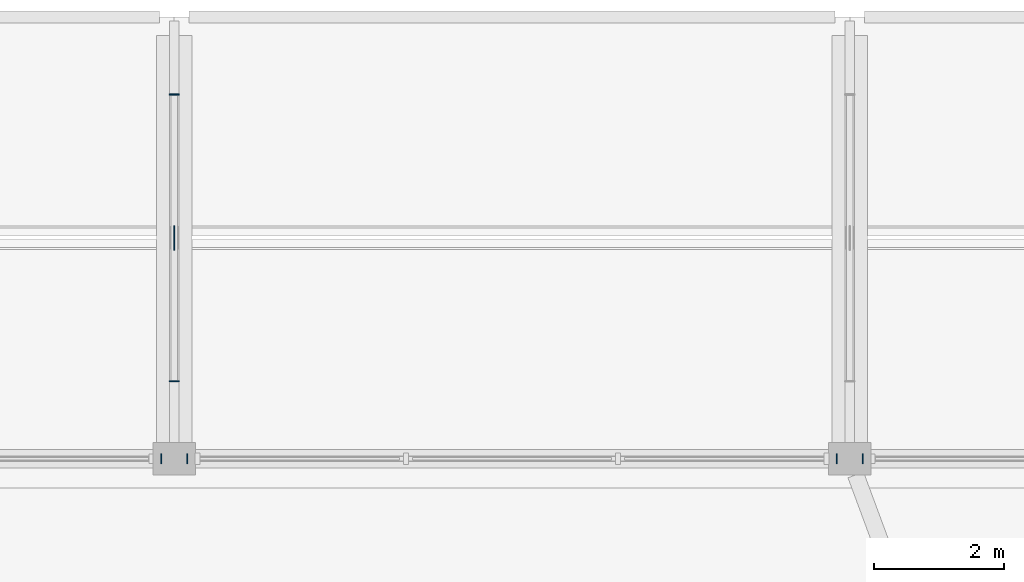
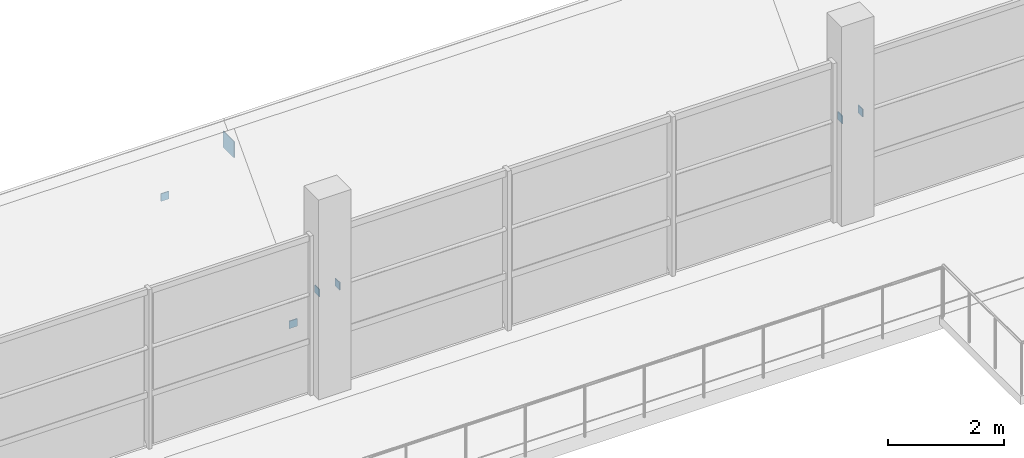
# One storey, part 44 of 85: 7 plates.
"""IFC4 building model written with IfcOpenShell, lengths in metres."""

from ifc_helpers import new_model, si_unit, derived_unit, direction, frame, origin, origin_2d, place, context, subcontext, project, spatial, rectangle, extrude, material, layer, layer_set, type_object, element, save


model = new_model("IFC4")

# Units and contexts
model_context = context("Model", 3, precision=1e-05, world=origin(), true_north=direction((0.0, 1.0)))
body_context = subcontext(model_context, "Body", "Model", "MODEL_VIEW")
ifc_project = project(units=[si_unit("LENGTHUNIT", "METRE"), si_unit("AREAUNIT", "SQUARE_METRE"), si_unit("VOLUMEUNIT", "CUBIC_METRE"), si_unit("PLANEANGLEUNIT", "RADIAN"), si_unit("MASSUNIT", "GRAM", prefix="KILO"), derived_unit("THERMALTRANSMITTANCEUNIT", [(si_unit("POWERUNIT", "WATT"), 1), (si_unit("LENGTHUNIT", "METRE"), -2), (si_unit("THERMODYNAMICTEMPERATUREUNIT", "KELVIN"), -1)])], contexts=[model_context])

# Site, building, storey
site_placement = place(None, origin())
site = spatial("IfcSite", under=ifc_project, at=site_placement, CompositionType="ELEMENT")
building_placement = place(site_placement, origin())
building = spatial("IfcBuilding", under=site, at=building_placement, Name="Braskholm Square Health Centre", CompositionType="ELEMENT")
storey_placement = place(building_placement, frame((0.0, 0.0, 9.300048828125)))
storey = spatial("IfcBuildingStorey", under=building, at=storey_placement, Name="L03", CompositionType="ELEMENT", Elevation=9.300048828125)

# Plates
ifc_material = material(Name="Steel ASTM A572 Grade 50", Category="steel")
ifc_layer_1 = layer(ifc_material, 0.01611328125)
ifc_layer_set_1 = layer_set([ifc_layer_1], Name="Steel ASTM A572 Grade 50")
plate_type_1 = type_object("IfcPlateType", Name="CapPlateHSS152TN8", PredefinedType="USERDEFINED", material=ifc_layer_set_1)
for number, where, z_axis, x_axis, name in (
    (1, (88.998046875, 107.0, 2.02001953125), (0.0, 0.0, 1.0), (1.0, 0.0, 0.0), "Hollow section end cap plate 0304"),
    (2, (89.402099609375, 107.0, 2.02001953125), (0.0, 0.0, 1.0), (1.0, 0.0, 0.0), "Hollow section end cap plate 0311"),
    (3, (99.39794921875, 107.0, 2.02001953125), (0.0, 0.0, 1.0), (1.0, 0.0, 0.0), "Hollow section end cap plate 0312"),
    (4, (99.802001953125, 107.0, 2.02001953125), (0.0, 0.0, 1.0), (1.0, 0.0, 0.0), "Hollow section end cap plate 0319"),
    (5, (89.199951171875, 108.19189453125, 0.5400390625), (0.0, 0.0, 1.0), (0.0, 1.0, 0.0), "Hollow section end cap plate 0338"),
    (6, (89.199951171875, 112.60791015625, 0.5400390625), (0.0, 0.0, 1.0), (0.0, 1.0, 0.0), "Hollow section end cap plate 0339"),
):
    element("IfcPlate", number, at=place(storey_placement, frame(where, z_axis=z_axis, x_axis=x_axis)), inside=storey, type_object=plate_type_1, Name=name, ObjectType="CAP_PLATE", PredefinedType="USERDEFINED", context=body_context, shape_type="SweptSolid", body=[
        extrude(rectangle(XDim=0.01611328125, YDim=0.159912109375, at=origin_2d()), origin(), (0.0, 0.0, 1.0), 0.159912109375),
    ])
ifc_layer_2 = layer(ifc_material, 0.01806640625)
ifc_layer_set_2 = layer_set([ifc_layer_2], Name="Steel ASTM A572 Grade 50")
plate_type_2 = type_object("IfcPlateType", Name="NodeGussetConservatoryTN5", PredefinedType="USERDEFINED", material=ifc_layer_set_2)
plate_placement = place(storey_placement, frame((89.199951171875, 110.39990234375, 2.8798828125), z_axis=(0.0, 0.0, 1.0), x_axis=(1.0, 0.0, 0.0)))
element("IfcPlate", 7, at=plate_placement, inside=storey, type_object=plate_type_2, Name="Conservatory ridge gusset plate 0340", ObjectType="GUSSET_PLATE", PredefinedType="USERDEFINED", context=body_context, shape_type="SweptSolid", body=[
    extrude(rectangle(XDim=0.01806640625, YDim=0.3798828125, at=origin_2d()), origin(), (0.0, 0.0, 1.0), 0.340087890625),
])

save(model, "model.ifc")
